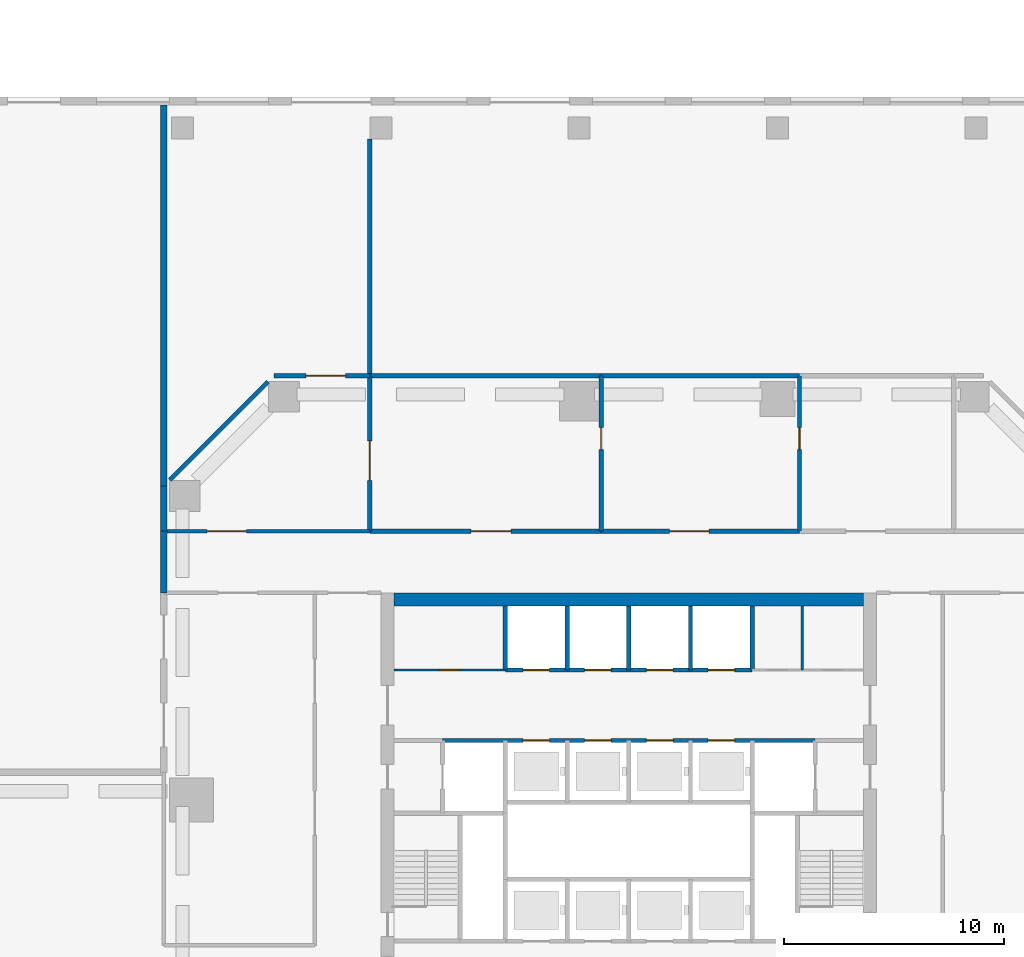
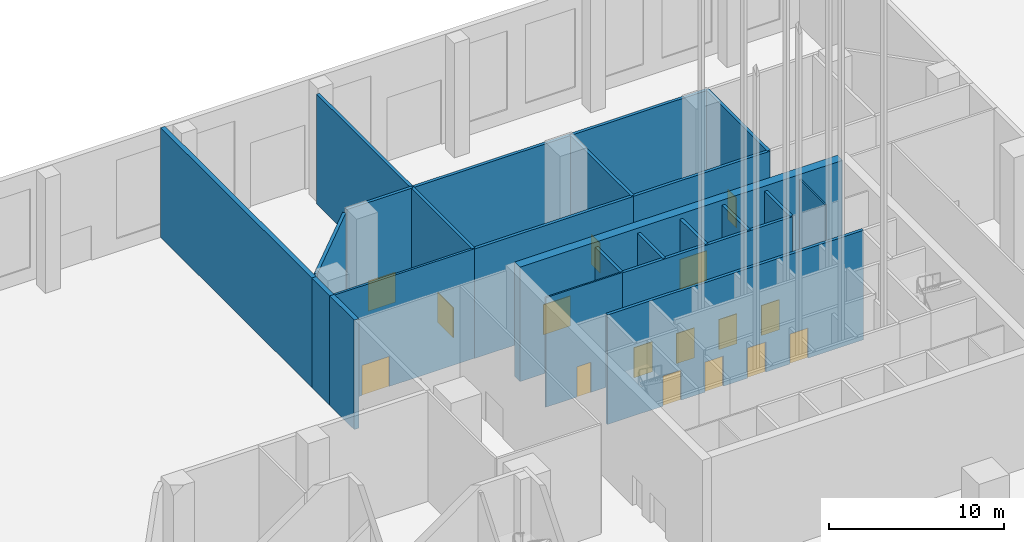
# One storey, part 15 of 32: 24 walls, 16 doors, 16 openings.
"""IFC4 building model written with IfcOpenShell, lengths in metres."""

import ifcopenshell
import ifcopenshell.guid

model = None  # the IFC model being written
_history = None  # IfcOwnerHistory: only IFC2X3 demands one
_inside = {}  # id of a spatial element -> (the spatial element, [elements in it])
_under = {}  # id of a project, library or spatial element -> (it, [spatial elements below it])
_declared = {}  # id of a project -> (the project, [libraries it declares])
_typed = {}  # id of a type object -> (the type object, [elements of that type])
_made_of = {}  # id of a material, layer set ... -> (it, [elements and type objects made of it])


def new_model(schema):
    """Start an empty IFC model of exactly this schema.

    Asked for "IFC4X3", IfcOpenShell would pick the latest addendum, in which some entities
    have other attributes; the version numbers below select the first issue.
    IFC2X3 requires an IfcOwnerHistory on every rooted entity: one is made here for all.
    """
    global model, _history
    if schema == "IFC4X3":
        model = ifcopenshell.file(schema_version=(4, 3, 0, 0))
    else:
        model = ifcopenshell.file(schema=schema)
    _inside.clear()
    _under.clear()
    _declared.clear()
    _typed.clear()
    _made_of.clear()
    _history = None
    if model.schema == "IFC2X3":
        org = make("IfcOrganization", Name="unknown")
        user = make(
            "IfcPersonAndOrganization",
            ThePerson=make("IfcPerson", FamilyName="unknown"),
            TheOrganization=org,
        )
        app = make(
            "IfcApplication",
            ApplicationDeveloper=org,
            Version="unknown",
            ApplicationFullName="unknown",
            ApplicationIdentifier="unknown",
        )
        _history = make(
            "IfcOwnerHistory",
            OwningUser=user,
            OwningApplication=app,
            ChangeAction="ADDED",
            CreationDate=0,
        )
    return model


def make(cls, **values):
    """One entity of the class cls with the attributes given. An attribute that is None is left unset."""
    return model.create_entity(
        cls, **{name: value for name, value in values.items() if value is not None}
    )


def rooted(cls, **values):
    """An entity with a GlobalId (a new one), such as an element, a storey or a relation."""
    return make(cls, GlobalId=ifcopenshell.guid.new(), OwnerHistory=_history, **values)


def si_unit(unit_type, name, prefix=None):
    """IfcSIUnit, for example si_unit("LENGTHUNIT", "METRE", prefix="MILLI")."""
    return make("IfcSIUnit", UnitType=unit_type, Prefix=prefix, Name=name)


def assignment(units):
    """IfcUnitAssignment: the units of a project."""
    return None if units is None else make("IfcUnitAssignment", Units=units)


def point(xyz):
    """IfcCartesianPoint."""
    return None if xyz is None else make("IfcCartesianPoint", Coordinates=xyz)


def direction(xyz):
    """IfcDirection."""
    return None if xyz is None else make("IfcDirection", DirectionRatios=xyz)


def frame(location, z_axis=None, x_axis=None):
    """IfcAxis2Placement3D, a coordinate frame: its origin and axes. An axis left out is left unset."""
    return make(
        "IfcAxis2Placement3D",
        Location=point(location),
        Axis=direction(z_axis),
        RefDirection=direction(x_axis),
    )


def frame_2d(location, x_axis=None):
    """IfcAxis2Placement2D, a coordinate frame in the plane: its origin and x axis."""
    return make(
        "IfcAxis2Placement2D", Location=point(location), RefDirection=direction(x_axis)
    )


def origin():
    """The frame at (0, 0, 0) with its axes left unset."""
    return frame((0.0, 0.0, 0.0))


def place(relative_to, where):
    """IfcLocalPlacement: puts the frame where relative to a parent placement (None: the world)."""
    return make(
        "IfcLocalPlacement", PlacementRelTo=relative_to, RelativePlacement=where
    )


def context(
    kind, dimensions, precision=None, world=None, true_north=None, identifier=None
):
    """IfcGeometricRepresentationContext, for example the 3D "Model" context."""
    return make(
        "IfcGeometricRepresentationContext",
        ContextIdentifier=identifier,
        ContextType=kind,
        CoordinateSpaceDimension=dimensions,
        Precision=precision,
        WorldCoordinateSystem=world,
        TrueNorth=true_north,
    )


def subcontext(parent, identifier, kind, view, scale=None):
    """IfcGeometricRepresentationSubContext, for example "Body" below "Model"."""
    return make(
        "IfcGeometricRepresentationSubContext",
        ContextIdentifier=identifier,
        ContextType=kind,
        ParentContext=parent,
        TargetScale=scale,
        TargetView=view,
    )


def project(units=None, contexts=None):
    """IfcProject with its units and contexts."""
    return rooted(
        "IfcProject",
        Name="project",
        RepresentationContexts=contexts,
        UnitsInContext=assignment(units),
    )


def spatial(cls, under=None, at=None, **own):
    """A site, building, storey or space (cls), placed at a placement, below another one or the project."""
    s = rooted(cls, ObjectPlacement=at, **own)
    if under is not None:
        _under.setdefault(under.id(), (under, []))[1].append(s)
    return s


def profile(cls, at=None, kind="AREA", **sizes):
    """A parametric profile (cls). Its sizes go by their IFC names, for example OverallWidth=200.0."""
    return make(cls, ProfileType=kind, Position=at, **sizes)


def rectangle(**sizes):
    """IfcRectangleProfileDef."""
    return profile("IfcRectangleProfileDef", **sizes)


def extrude(swept, where, along, depth):
    """IfcExtrudedAreaSolid: the profile swept, set in the frame where, extruded along a direction by depth."""
    return make(
        "IfcExtrudedAreaSolid",
        SweptArea=swept,
        Position=where,
        ExtrudedDirection=direction(along),
        Depth=depth,
    )


def shape(context_of_items, identifier, shape_type, items):
    """IfcShapeRepresentation: the items that make up one representation, for example the "Body"."""
    return make(
        "IfcShapeRepresentation",
        ContextOfItems=context_of_items,
        RepresentationIdentifier=identifier,
        RepresentationType=shape_type,
        Items=items,
    )


def material(Name=None, Category=None):
    """IfcMaterial."""
    return make("IfcMaterial", Name=Name, Category=Category)


def layer(
    of_material, thickness, ventilated=None, Name=None, Category=None, Priority=None
):
    """IfcMaterialLayer: one layer of a wall or slab, of a material (None: an air gap)."""
    return make(
        "IfcMaterialLayer",
        Material=of_material,
        LayerThickness=thickness,
        IsVentilated=ventilated,
        Name=Name,
        Category=Category,
        Priority=Priority,
    )


def layer_set(layers, Name=None):
    """IfcMaterialLayerSet."""
    return make("IfcMaterialLayerSet", MaterialLayers=layers, LayerSetName=Name)


def made_of(thing, what):
    """Note that an element or type object is made of a material, layer set ...; save() writes the relation."""
    if what is not None:
        _made_of.setdefault(what.id(), (what, []))[1].append(thing)
    return thing


def type_object(cls, material=None, **own):
    """A type object (cls), such as IfcWallType, which elements share."""
    return made_of(rooted(cls, **own), material)


def element(
    cls,
    number,
    at=None,
    inside=None,
    cuts=None,
    type_object=None,
    material=None,
    context=None,
    identifier="Body",
    shape_type=None,
    held_by="IfcProductDefinitionShape",
    body=None,
    shapes=None,
    **own,
):
    """One element of the class cls, such as IfcWall. Its Tag is "e" and its number.

    at: its placement. inside: the storey or other place that contains it. cuts: it is an
    opening in that element (IfcRelVoidsElement). A single representation is given by context,
    identifier, shape_type and body (its items); several are given by shapes. held_by: the class
    of the entity that holds the representations. save() writes the other relations.
    """
    e = rooted(cls, Tag="e%d" % number, ObjectPlacement=at, **own)
    if body is not None:
        shapes = [shape(context, identifier, shape_type, body)]
    if shapes is not None:
        e.Representation = make(held_by, Representations=shapes)
    if inside is not None:
        _inside.setdefault(inside.id(), (inside, []))[1].append(e)
    if cuts is not None:
        rooted(
            "IfcRelVoidsElement", RelatingBuildingElement=cuts, RelatedOpeningElement=e
        )
    if type_object is not None:
        _typed.setdefault(type_object.id(), (type_object, []))[1].append(e)
    return made_of(e, material)


def fill(opening, filler):
    """IfcRelFillsElement: the door or window that sits in an opening."""
    return rooted(
        "IfcRelFillsElement",
        RelatingOpeningElement=opening,
        RelatedBuildingElement=filler,
    )


def aggregate(whole, parts):
    """IfcRelAggregates: a whole, such as a stair, and the parts it consists of."""
    return rooted("IfcRelAggregates", RelatingObject=whole, RelatedObjects=parts)


def save(model, path):
    """Write the relations noted so far, then the file.

    IfcRelAggregates (storeys below a building ...), IfcRelContainedInSpatialStructure (elements
    in a storey), IfcRelDefinesByType, IfcRelAssociatesMaterial and IfcRelDeclares: one each for
    every whole, place, type object, material and project.
    """
    for whole, parts in _under.values():
        aggregate(whole, parts)
    for where, things in _inside.values():
        rooted(
            "IfcRelContainedInSpatialStructure",
            RelatedElements=things,
            RelatingStructure=where,
        )
    for kind, things in _typed.values():
        rooted("IfcRelDefinesByType", RelatedObjects=things, RelatingType=kind)
    for what, things in _made_of.values():
        rooted("IfcRelAssociatesMaterial", RelatedObjects=things, RelatingMaterial=what)
    for by, libraries in _declared.values():
        rooted("IfcRelDeclares", RelatingContext=by, RelatedDefinitions=libraries)
    model.write(path)


model = new_model("IFC4")

# Units and contexts
model_context = context("Model", 3, precision=1e-05, world=origin(), true_north=direction((0.0, 1.0)))
body_context = subcontext(model_context, "Body", "Model", "MODEL_VIEW")
ifc_project = project(units=[si_unit("LENGTHUNIT", "METRE"), si_unit("AREAUNIT", "SQUARE_METRE"), si_unit("VOLUMEUNIT", "CUBIC_METRE"), si_unit("PLANEANGLEUNIT", "RADIAN"), si_unit("MASSUNIT", "GRAM", prefix="KILO")], contexts=[model_context])

# Site, building, storey
site_placement = place(None, origin())
site = spatial("IfcSite", under=ifc_project, at=site_placement, CompositionType="ELEMENT")
building_placement = place(site_placement, origin())
building = spatial("IfcBuilding", under=site, at=building_placement, Name="Quoin Convention Tower", CompositionType="ELEMENT")
storey_placement = place(building_placement, origin())
storey = spatial("IfcBuildingStorey", under=building, at=storey_placement, Name="L00", CompositionType="ELEMENT", Elevation=0.0)

# Walls
ifc_material_1 = material(Name="Plasterboard")
ifc_layer_1 = layer(ifc_material_1, 0.012451171875, Name="Finish")
ifc_material_2 = material(Name="Steel stud framing", Category="steel")
ifc_layer_2 = layer(ifc_material_2, 0.27490234375, Name="Structure")
ifc_layer_3 = layer(ifc_material_1, 0.012451171875, Name="Finish")
ifc_layer_set_1 = layer_set([ifc_layer_1, ifc_layer_2, ifc_layer_3], Name="Steel stud framing")
wall_type_1 = type_object("IfcWallType", Name="Acoustic wall 300", PredefinedType="PARTITIONING", material=ifc_layer_set_1)
wall_1_placement = place(storey_placement, frame((35.14990234375, 72.0, 0.0), z_axis=(0.0, 0.0, 1.0), x_axis=(0.0, 1.0, 0.0)))
element("IfcWall", 1, at=wall_1_placement, inside=storey, type_object=wall_type_1, Name="pw-L00-077", PredefinedType="PARTITIONING", context=body_context, shape_type="SweptSolid", body=[
    extrude(rectangle(XDim=2.800048828125, YDim=0.300048828125, at=frame_2d((1.39990234375, 0.0))), origin(), (0.0, 0.0, 1.0), 7.64990234375),
])
wall_2_placement = place(storey_placement, frame((35.14990234375, 74.800048828125, 0.0), z_axis=(0.0, 0.0, 1.0), x_axis=(0.0, 1.0, 0.0)))
element("IfcWall", 2, at=wall_2_placement, inside=storey, type_object=wall_type_1, Name="pw-L00-083", PredefinedType="PARTITIONING", context=body_context, shape_type="SweptSolid", body=[
    extrude(rectangle(XDim=2.052001953125, YDim=0.300048828125, at=frame_2d((1.02587890625, 0.0))), origin(), (0.0, 0.0, 1.0), 7.64990234375),
])
wall_3_placement = place(storey_placement, frame((35.14990234375, 76.85205078125, 0.0), z_axis=(0.0, 0.0, 1.0), x_axis=(0.0, 1.0, 0.0)))
element("IfcWall", 3, at=wall_3_placement, inside=storey, type_object=wall_type_1, Name="pw-L00-094", PredefinedType="PARTITIONING", context=body_context, shape_type="SweptSolid", body=[
    extrude(rectangle(XDim=17.2978515625, YDim=0.300048828125, at=frame_2d((8.64892578125, 0.0))), origin(), (0.0, 0.0, 1.0), 7.64990234375),
])

# Wall, opening, door
ifc_layer_4 = layer(ifc_material_1, 0.012451171875, Name="Finish")
ifc_layer_5 = layer(ifc_material_2, 0.175048828125, Name="Structure")
ifc_layer_6 = layer(ifc_material_1, 0.012451171875, Name="Finish")
ifc_layer_set_2 = layer_set([ifc_layer_4, ifc_layer_5, ifc_layer_6], Name="Steel stud framing")
wall_type_2 = type_object("IfcWallType", Name="Block wall 200", PredefinedType="PARTITIONING", material=ifc_layer_set_2)
wall_4_placement = place(storey_placement, frame((44.5, 74.800048828125, 0.0), z_axis=(0.0, 0.0, 1.0), x_axis=(1.0, 0.0, 0.0)))
wall_4 = element("IfcWall", 4, at=wall_4_placement, inside=storey, type_object=wall_type_2, Name="pw-L00-084", PredefinedType="PARTITIONING", context=body_context, shape_type="SweptSolid", body=[
    extrude(rectangle(XDim=10.5, YDim=0.199951171875, at=frame_2d((5.25, 0.0))), origin(), (0.0, 0.0, 1.0), 7.64990234375),
])
opening_1_placement = place(wall_4_placement, frame((4.60009765625, 0.0, 0.0)))
opening_1 = element("IfcOpeningElement", 5, at=opening_1_placement, cuts=wall_4, Name="Opening DPD0-36", PredefinedType="OPENING", context=body_context, shape_type="SweptSolid", body=[
    extrude(rectangle(XDim=1.800048828125, YDim=2.10009765625, at=frame_2d((0.89990234375, 1.050048828125))), frame((0.0, 0.10986328125, 0.0), z_axis=(0.0, -1.0, 0.0), x_axis=(1.0, 0.0, 0.0)), (0.0, 0.0, 1.0), 0.219970703125),
])
ifc_material_3 = material(Name="Steel door leaf", Category="steel")
door_type_1 = type_object("IfcDoorType", Name="Fire door pair 1800", OperationType="DOUBLE_DOOR_SINGLE_SWING", PredefinedType="DOOR", material=ifc_material_3)
door_1_placement = place(opening_1_placement, origin())
door_1 = element("IfcDoor", 6, at=door_1_placement, inside=storey, type_object=door_type_1, Name="dr-L00-016", OperationType="DOUBLE_DOOR_SINGLE_SWING", OverallHeight=2.10009765625, OverallWidth=1.800048828125, PredefinedType="DOOR", context=body_context, shape_type="SweptSolid", body=[
    extrude(rectangle(XDim=1.800048828125, YDim=2.10009765625, at=frame_2d((0.89990234375, 1.050048828125))), frame((0.0, 0.02490234375, 0.0), z_axis=(0.0, -1.0, 0.0), x_axis=(1.0, 0.0, 0.0)), (0.0, 0.0, 1.0), 0.050048828125),
])
fill(opening_1, door_1)

wall_5_placement = place(storey_placement, frame((44.5, 74.800048828125, 0.0), z_axis=(0.0, 0.0, 1.0), x_axis=(0.0, 1.0, 0.0)))
wall_5 = element("IfcWall", 7, at=wall_5_placement, inside=storey, type_object=wall_type_2, Name="pw-L00-085", PredefinedType="PARTITIONING", context=body_context, shape_type="SweptSolid", body=[
    extrude(rectangle(XDim=7.050048828125, YDim=0.199951171875, at=frame_2d((3.52490234375, 0.0))), origin(), (0.0, 0.0, 1.0), 7.64990234375),
])
opening_2_placement = place(wall_5_placement, frame((2.300048828125, 0.0, 0.0)))
opening_2 = element("IfcOpeningElement", 8, at=opening_2_placement, cuts=wall_5, Name="Opening DPD0-37", PredefinedType="OPENING", context=body_context, shape_type="SweptSolid", body=[
    extrude(rectangle(XDim=1.800048828125, YDim=2.10009765625, at=frame_2d((0.89990234375, 1.050048828125))), frame((0.0, 0.10986328125, 0.0), z_axis=(0.0, -1.0, 0.0), x_axis=(1.0, 0.0, 0.0)), (0.0, 0.0, 1.0), 0.219970703125),
])
door_type_2 = type_object("IfcDoorType", Name="Double leaf door 1800", OperationType="DOUBLE_DOOR_SINGLE_SWING", PredefinedType="DOOR", material=ifc_material_3)
door_2_placement = place(opening_2_placement, frame((1.800048828125, 0.0, 0.0), z_axis=(0.0, 0.0, 1.0), x_axis=(-1.0, 0.0, 0.0)))
door_2 = element("IfcDoor", 9, at=door_2_placement, inside=storey, type_object=door_type_2, Name="dr-L00-020", OperationType="DOUBLE_DOOR_SINGLE_SWING", OverallHeight=2.10009765625, OverallWidth=1.800048828125, PredefinedType="DOOR", context=body_context, shape_type="SweptSolid", body=[
    extrude(rectangle(XDim=1.800048828125, YDim=2.10009765625, at=frame_2d((0.89990234375, 1.050048828125))), frame((0.0, 0.02490234375, 0.0), z_axis=(0.0, -1.0, 0.0), x_axis=(1.0, 0.0, 0.0)), (0.0, 0.0, 1.0), 0.050048828125),
])
fill(opening_2, door_2)

wall_6_placement = place(storey_placement, frame((55.0, 74.800048828125, 0.0), z_axis=(0.0, 0.0, 1.0), x_axis=(1.0, 0.0, 0.0)))
wall_6 = element("IfcWall", 10, at=wall_6_placement, inside=storey, type_object=wall_type_2, Name="pw-L00-086", PredefinedType="PARTITIONING", context=body_context, shape_type="SweptSolid", body=[
    extrude(rectangle(XDim=9.0, YDim=0.199951171875, at=frame_2d((4.5, 0.0))), origin(), (0.0, 0.0, 1.0), 7.64990234375),
])
opening_3_placement = place(wall_6_placement, frame((3.10009765625, 0.0, 0.0)))
opening_3 = element("IfcOpeningElement", 11, at=opening_3_placement, cuts=wall_6, Name="Opening DPD0-38", PredefinedType="OPENING", context=body_context, shape_type="SweptSolid", body=[
    extrude(rectangle(XDim=1.800048828125, YDim=2.10009765625, at=frame_2d((0.89990234375, 1.050048828125))), frame((0.0, 0.10986328125, 0.0), z_axis=(0.0, -1.0, 0.0), x_axis=(1.0, 0.0, 0.0)), (0.0, 0.0, 1.0), 0.219970703125),
])
door_3_placement = place(opening_3_placement, origin())
door_3 = element("IfcDoor", 12, at=door_3_placement, inside=storey, type_object=door_type_1, Name="dr-L00-017", OperationType="DOUBLE_DOOR_SINGLE_SWING", OverallHeight=2.10009765625, OverallWidth=1.800048828125, PredefinedType="DOOR", context=body_context, shape_type="SweptSolid", body=[
    extrude(rectangle(XDim=1.800048828125, YDim=2.10009765625, at=frame_2d((0.89990234375, 1.050048828125))), frame((0.0, 0.02490234375, 0.0), z_axis=(0.0, -1.0, 0.0), x_axis=(1.0, 0.0, 0.0)), (0.0, 0.0, 1.0), 0.050048828125),
])
fill(opening_3, door_3)

wall_7_placement = place(storey_placement, frame((55.0, 74.800048828125, 0.0), z_axis=(0.0, 0.0, 1.0), x_axis=(0.0, 1.0, 0.0)))
wall_7 = element("IfcWall", 13, at=wall_7_placement, inside=storey, type_object=wall_type_2, Name="pw-L00-087", PredefinedType="PARTITIONING", context=body_context, shape_type="SweptSolid", body=[
    extrude(rectangle(XDim=7.050048828125, YDim=0.199951171875, at=frame_2d((3.52490234375, 0.0))), origin(), (0.0, 0.0, 1.0), 7.64990234375),
])
opening_4_placement = place(wall_7_placement, frame((3.699951171875, 0.0, 0.0)))
opening_4 = element("IfcOpeningElement", 14, at=opening_4_placement, cuts=wall_7, Name="Opening DPD0-39", PredefinedType="OPENING", context=body_context, shape_type="SweptSolid", body=[
    extrude(rectangle(XDim=1.0, YDim=2.10009765625, at=frame_2d((0.5, 1.050048828125))), frame((0.0, 0.10986328125, 0.0), z_axis=(0.0, -1.0, 0.0), x_axis=(1.0, 0.0, 0.0)), (0.0, 0.0, 1.0), 0.219970703125),
])
door_type_3 = type_object("IfcDoorType", Name="Single leaf door 1000", OperationType="SINGLE_SWING_LEFT", PredefinedType="DOOR", material=ifc_material_3)
door_4_placement = place(opening_4_placement, origin())
door_4 = element("IfcDoor", 15, at=door_4_placement, inside=storey, type_object=door_type_3, Name="dr-L00-021", OperationType="SINGLE_SWING_RIGHT", OverallHeight=2.10009765625, OverallWidth=1.0, PredefinedType="DOOR", context=body_context, shape_type="SweptSolid", body=[
    extrude(rectangle(XDim=1.0, YDim=2.10009765625, at=frame_2d((0.5, 1.050048828125))), frame((0.0, 0.02490234375, 0.0), z_axis=(0.0, -1.0, 0.0), x_axis=(1.0, 0.0, 0.0)), (0.0, 0.0, 1.0), 0.050048828125),
])
fill(opening_4, door_4)

wall_8_placement = place(storey_placement, frame((64.0, 74.800048828125, 0.0), z_axis=(0.0, 0.0, 1.0), x_axis=(0.0, 1.0, 0.0)))
wall_8 = element("IfcWall", 16, at=wall_8_placement, inside=storey, type_object=wall_type_2, Name="pw-L00-089", PredefinedType="PARTITIONING", context=body_context, shape_type="SweptSolid", body=[
    extrude(rectangle(XDim=7.050048828125, YDim=0.199951171875, at=frame_2d((3.52490234375, 0.0))), origin(), (0.0, 0.0, 1.0), 7.64990234375),
])
opening_5_placement = place(wall_8_placement, frame((3.699951171875, 0.0, 0.0)))
opening_5 = element("IfcOpeningElement", 17, at=opening_5_placement, cuts=wall_8, Name="Opening DPD0-41", PredefinedType="OPENING", context=body_context, shape_type="SweptSolid", body=[
    extrude(rectangle(XDim=1.0, YDim=2.10009765625, at=frame_2d((0.5, 1.050048828125))), frame((0.0, 0.10986328125, 0.0), z_axis=(0.0, -1.0, 0.0), x_axis=(1.0, 0.0, 0.0)), (0.0, 0.0, 1.0), 0.219970703125),
])
door_5_placement = place(opening_5_placement, origin())
door_5 = element("IfcDoor", 18, at=door_5_placement, inside=storey, type_object=door_type_3, Name="dr-L00-022", OperationType="SINGLE_SWING_RIGHT", OverallHeight=2.10009765625, OverallWidth=1.0, PredefinedType="DOOR", context=body_context, shape_type="SweptSolid", body=[
    extrude(rectangle(XDim=1.0, YDim=2.10009765625, at=frame_2d((0.5, 1.050048828125))), frame((0.0, 0.02490234375, 0.0), z_axis=(0.0, -1.0, 0.0), x_axis=(1.0, 0.0, 0.0)), (0.0, 0.0, 1.0), 0.050048828125),
])
fill(opening_5, door_5)

# Wall
wall_9_placement = place(storey_placement, frame((35.41796875, 77.1201171875, 0.0), z_axis=(0.0, 0.0, 1.0), x_axis=(0.707106781187, 0.707106781187, 0.0)))
element("IfcWall", 19, at=wall_9_placement, inside=storey, type_object=wall_type_2, Name="pw-L00-093", PredefinedType="PARTITIONING", context=body_context, shape_type="SweptSolid", body=[
    extrude(rectangle(XDim=6.31005859375, YDim=0.199951171875, at=frame_2d((3.155029296875, 0.0))), origin(), (0.0, 0.0, 1.0), 7.64990234375),
])

# Wall, opening, door
wall_10_placement = place(storey_placement, frame((40.14794921875, 81.85009765625, 0.0), z_axis=(0.0, 0.0, 1.0), x_axis=(1.0, 0.0, 0.0)))
wall_10 = element("IfcWall", 20, at=wall_10_placement, inside=storey, type_object=wall_type_2, Name="pw-L00-096", PredefinedType="PARTITIONING", context=body_context, shape_type="SweptSolid", body=[
    extrude(rectangle(XDim=4.35205078125, YDim=0.199951171875, at=frame_2d((2.176025390625, 0.0))), origin(), (0.0, 0.0, 1.0), 7.64990234375),
])
opening_6_placement = place(wall_10_placement, frame((1.449951171875, 0.0, 0.0)))
opening_6 = element("IfcOpeningElement", 21, at=opening_6_placement, cuts=wall_10, Name="Opening DPD0-43", PredefinedType="OPENING", context=body_context, shape_type="SweptSolid", body=[
    extrude(rectangle(XDim=1.800048828125, YDim=2.10009765625, at=frame_2d((0.89990234375, 1.050048828125))), frame((0.0, 0.10986328125, 0.0), z_axis=(0.0, -1.0, 0.0), x_axis=(1.0, 0.0, 0.0)), (0.0, 0.0, 1.0), 0.219970703125),
])
door_6_placement = place(opening_6_placement, origin())
door_6 = element("IfcDoor", 22, at=door_6_placement, inside=storey, type_object=door_type_2, Name="dr-L00-015", OperationType="DOUBLE_DOOR_SINGLE_SWING", OverallHeight=2.10009765625, OverallWidth=1.800048828125, PredefinedType="DOOR", context=body_context, shape_type="SweptSolid", body=[
    extrude(rectangle(XDim=1.800048828125, YDim=2.10009765625, at=frame_2d((0.89990234375, 1.050048828125))), frame((0.0, 0.02490234375, 0.0), z_axis=(0.0, -1.0, 0.0), x_axis=(1.0, 0.0, 0.0)), (0.0, 0.0, 1.0), 0.050048828125),
])
fill(opening_6, door_6)

# Walls
wall_11_placement = place(storey_placement, frame((44.5, 81.85009765625, 0.0), z_axis=(0.0, 0.0, 1.0), x_axis=(1.0, 0.0, 0.0)))
element("IfcWall", 23, at=wall_11_placement, inside=storey, type_object=wall_type_2, Name="pw-L00-097", PredefinedType="PARTITIONING", context=body_context, shape_type="SweptSolid", body=[
    extrude(rectangle(XDim=10.5, YDim=0.199951171875, at=frame_2d((5.25, 0.0))), origin(), (0.0, 0.0, 1.0), 7.64990234375),
])
wall_12_placement = place(storey_placement, frame((44.5, 81.85009765625, 0.0), z_axis=(0.0, 0.0, 1.0), x_axis=(0.0, 1.0, 0.0)))
element("IfcWall", 24, at=wall_12_placement, inside=storey, type_object=wall_type_2, Name="pw-L00-098", PredefinedType="PARTITIONING", context=body_context, shape_type="SweptSolid", body=[
    extrude(rectangle(XDim=10.75, YDim=0.199951171875, at=frame_2d((5.375, 0.0))), origin(), (0.0, 0.0, 1.0), 7.64990234375),
])
wall_13_placement = place(storey_placement, frame((55.0, 81.85009765625, 0.0), z_axis=(0.0, 0.0, 1.0), x_axis=(1.0, 0.0, 0.0)))
element("IfcWall", 25, at=wall_13_placement, inside=storey, type_object=wall_type_2, Name="pw-L00-099", PredefinedType="PARTITIONING", context=body_context, shape_type="SweptSolid", body=[
    extrude(rectangle(XDim=9.0, YDim=0.199951171875, at=frame_2d((4.5, 0.0))), origin(), (0.0, 0.0, 1.0), 7.64990234375),
])

# Wall, opening, door
ifc_layer_7 = layer(ifc_material_1, 0.012451171875, Name="Finish")
ifc_layer_8 = layer(ifc_material_2, 0.074951171875, Name="Structure")
ifc_layer_9 = layer(ifc_material_1, 0.012451171875, Name="Finish")
ifc_layer_set_3 = layer_set([ifc_layer_7, ifc_layer_8, ifc_layer_9], Name="Steel stud framing")
wall_type_3 = type_object("IfcWallType", Name="Core partition wall", PredefinedType="PARTITIONING", material=ifc_layer_set_3)
wall_14_placement = place(storey_placement, frame((45.60009765625, 68.5, 0.0), z_axis=(0.0, 0.0, 1.0), x_axis=(1.0, 0.0, 0.0)))
wall_14 = element("IfcWall", 26, at=wall_14_placement, inside=storey, type_object=wall_type_3, Name="cr-C1-L00-h19000_600", PredefinedType="PARTITIONING", context=body_context, shape_type="SweptSolid", body=[
    extrude(rectangle(XDim=5.0498046875, YDim=0.10009765625, at=frame_2d((2.52490234375, 0.0))), origin(), (0.0, 0.0, 1.0), 7.64990234375),
])
opening_7_placement = place(wall_14_placement, frame((2.074951171875, 0.0, 0.0)))
opening_7 = element("IfcOpeningElement", 27, at=opening_7_placement, cuts=wall_14, Name="Opening DCV0-25", PredefinedType="OPENING", context=body_context, shape_type="SweptSolid", body=[
    extrude(rectangle(XDim=0.89990234375, YDim=2.10009765625, at=frame_2d((0.449951171875, 1.050048828125))), frame((0.0, 0.06005859375, 0.0), z_axis=(0.0, -1.0, 0.0), x_axis=(1.0, 0.0, 0.0)), (0.0, 0.0, 1.0), 0.1201171875),
])
door_type_4 = type_object("IfcDoorType", Name="Core room door 900 x 2100", OperationType="SINGLE_SWING_LEFT", PredefinedType="DOOR", material=ifc_material_3)
door_7_placement = place(opening_7_placement, origin())
door_7 = element("IfcDoor", 28, at=door_7_placement, inside=storey, type_object=door_type_4, Name="cd-C1-L00-CNW0-lobB-CD0009", OperationType="SINGLE_SWING_RIGHT", OverallHeight=2.10009765625, OverallWidth=0.89990234375, PredefinedType="DOOR", context=body_context, shape_type="SweptSolid", body=[
    extrude(rectangle(XDim=0.89990234375, YDim=2.10009765625, at=frame_2d((0.449951171875, 1.050048828125))), frame((0.0, 0.02490234375, 0.0), z_axis=(0.0, -1.0, 0.0), x_axis=(1.0, 0.0, 0.0)), (0.0, 0.0, 1.0), 0.050048828125),
])
fill(opening_7, door_7)

# Wall
wall_15_placement = place(storey_placement, frame((64.12255859375, 68.5, 0.0), z_axis=(0.0, 0.0, 1.0), x_axis=(0.0, 1.0, 0.0)))
element("IfcWall", 29, at=wall_15_placement, inside=storey, type_object=wall_type_3, Name="cr-C1-L00-v19122_19000", PredefinedType="PARTITIONING", context=body_context, shape_type="SweptSolid", body=[
    extrude(rectangle(XDim=2.89990234375, YDim=0.10009765625, at=frame_2d((1.449951171875, 0.0))), origin(), (0.0, 0.0, 1.0), 7.64990234375),
])

# Wall, openings, doors
ifc_material_4 = material(Name="Concrete C50", Category="concrete")
ifc_layer_10 = layer(ifc_material_4, 0.199951171875)
ifc_layer_set_4 = layer_set([ifc_layer_10], Name="Concrete C50")
wall_type_4 = type_object("IfcWallType", Name="Core shaft wall", PredefinedType="SOLIDWALL", material=ifc_layer_set_4)
wall_16_placement = place(storey_placement, frame((47.800048828125, 65.300048828125, 0.0), z_axis=(0.0, 0.0, 1.0), x_axis=(1.0, 0.0, 0.0)))
wall_16 = element("IfcWall", 30, at=wall_16_placement, inside=storey, type_object=wall_type_4, Name="cr-C1-L00-h15800_2800", PredefinedType="SOLIDWALL", context=body_context, shape_type="SweptSolid", body=[
    extrude(rectangle(XDim=16.89990234375, YDim=0.199951171875, at=frame_2d((8.449951171875, 0.0))), origin(), (0.0, 0.0, 1.0), 7.64990234375),
])
opening_8_placement = place(wall_16_placement, frame((3.64990234375, 0.0, 0.0)))
opening_8 = element("IfcOpeningElement", 31, at=opening_8_placement, cuts=wall_16, Name="Opening LDH5", PredefinedType="OPENING", context=body_context, shape_type="SweptSolid", body=[
    extrude(rectangle(XDim=1.199951171875, YDim=2.10009765625, at=frame_2d((0.60009765625, 1.050048828125))), frame((0.0, 0.10986328125, 0.0), z_axis=(0.0, -1.0, 0.0), x_axis=(1.0, 0.0, 0.0)), (0.0, 0.0, 1.0), 0.219970703125),
])
opening_9_placement = place(wall_16_placement, frame((6.449951171875, 0.0, 0.0)))
opening_9 = element("IfcOpeningElement", 32, at=opening_9_placement, cuts=wall_16, Name="Opening LDH6", PredefinedType="OPENING", context=body_context, shape_type="SweptSolid", body=[
    extrude(rectangle(XDim=1.199951171875, YDim=2.10009765625, at=frame_2d((0.60009765625, 1.050048828125))), frame((0.0, 0.10986328125, 0.0), z_axis=(0.0, -1.0, 0.0), x_axis=(1.0, 0.0, 0.0)), (0.0, 0.0, 1.0), 0.219970703125),
])
opening_10_placement = place(wall_16_placement, frame((9.25, 0.0, 0.0)))
opening_10 = element("IfcOpeningElement", 33, at=opening_10_placement, cuts=wall_16, Name="Opening LDH7", PredefinedType="OPENING", context=body_context, shape_type="SweptSolid", body=[
    extrude(rectangle(XDim=1.199951171875, YDim=2.10009765625, at=frame_2d((0.60009765625, 1.050048828125))), frame((0.0, 0.10986328125, 0.0), z_axis=(0.0, -1.0, 0.0), x_axis=(1.0, 0.0, 0.0)), (0.0, 0.0, 1.0), 0.219970703125),
])
opening_11_placement = place(wall_16_placement, frame((12.050048828125, 0.0, 0.0)))
opening_11 = element("IfcOpeningElement", 34, at=opening_11_placement, cuts=wall_16, Name="Opening LDH8", PredefinedType="OPENING", context=body_context, shape_type="SweptSolid", body=[
    extrude(rectangle(XDim=1.199951171875, YDim=2.10009765625, at=frame_2d((0.60009765625, 1.050048828125))), frame((0.0, 0.10986328125, 0.0), z_axis=(0.0, -1.0, 0.0), x_axis=(1.0, 0.0, 0.0)), (0.0, 0.0, 1.0), 0.219970703125),
])
door_type_5 = type_object("IfcDoorType", Name="Lift landing door 1200 x 2100", OperationType="DOUBLE_DOOR_SLIDING", PredefinedType="DOOR", material=ifc_material_3)
door_8_placement = place(opening_8_placement, origin())
door_8 = element("IfcDoor", 35, at=door_8_placement, inside=storey, type_object=door_type_5, Name="cd-C1-L00-R30-lobB-LDH5", OperationType="DOUBLE_DOOR_SLIDING", OverallHeight=2.10009765625, OverallWidth=1.199951171875, PredefinedType="DOOR", context=body_context, shape_type="SweptSolid", body=[
    extrude(rectangle(XDim=1.199951171875, YDim=2.10009765625, at=frame_2d((0.60009765625, 1.050048828125))), frame((0.0, 0.02490234375, 0.0), z_axis=(0.0, -1.0, 0.0), x_axis=(1.0, 0.0, 0.0)), (0.0, 0.0, 1.0), 0.050048828125),
])
fill(opening_8, door_8)
door_9_placement = place(opening_9_placement, origin())
door_9 = element("IfcDoor", 36, at=door_9_placement, inside=storey, type_object=door_type_5, Name="cd-C1-L00-R31-lobB-LDH6", OperationType="DOUBLE_DOOR_SLIDING", OverallHeight=2.10009765625, OverallWidth=1.199951171875, PredefinedType="DOOR", context=body_context, shape_type="SweptSolid", body=[
    extrude(rectangle(XDim=1.199951171875, YDim=2.10009765625, at=frame_2d((0.60009765625, 1.050048828125))), frame((0.0, 0.02490234375, 0.0), z_axis=(0.0, -1.0, 0.0), x_axis=(1.0, 0.0, 0.0)), (0.0, 0.0, 1.0), 0.050048828125),
])
fill(opening_9, door_9)
door_10_placement = place(opening_10_placement, origin())
door_10 = element("IfcDoor", 37, at=door_10_placement, inside=storey, type_object=door_type_5, Name="cd-C1-L00-R32-lobB-LDH7", OperationType="DOUBLE_DOOR_SLIDING", OverallHeight=2.10009765625, OverallWidth=1.199951171875, PredefinedType="DOOR", context=body_context, shape_type="SweptSolid", body=[
    extrude(rectangle(XDim=1.199951171875, YDim=2.10009765625, at=frame_2d((0.60009765625, 1.050048828125))), frame((0.0, 0.02490234375, 0.0), z_axis=(0.0, -1.0, 0.0), x_axis=(1.0, 0.0, 0.0)), (0.0, 0.0, 1.0), 0.050048828125),
])
fill(opening_10, door_10)
door_11_placement = place(opening_11_placement, origin())
door_11 = element("IfcDoor", 38, at=door_11_placement, inside=storey, type_object=door_type_5, Name="cd-C1-L00-R33-lobB-LDH8", OperationType="DOUBLE_DOOR_SLIDING", OverallHeight=2.10009765625, OverallWidth=1.199951171875, PredefinedType="DOOR", context=body_context, shape_type="SweptSolid", body=[
    extrude(rectangle(XDim=1.199951171875, YDim=2.10009765625, at=frame_2d((0.60009765625, 1.050048828125))), frame((0.0, 0.02490234375, 0.0), z_axis=(0.0, -1.0, 0.0), x_axis=(1.0, 0.0, 0.0)), (0.0, 0.0, 1.0), 0.050048828125),
])
fill(opening_11, door_11)

wall_17_placement = place(storey_placement, frame((50.64990234375, 68.5, 0.0), z_axis=(0.0, 0.0, 1.0), x_axis=(1.0, 0.0, 0.0)))
wall_17 = element("IfcWall", 39, at=wall_17_placement, inside=storey, type_object=wall_type_4, Name="cr-C1-L00-h19000_5650", PredefinedType="SOLIDWALL", context=body_context, shape_type="SweptSolid", body=[
    extrude(rectangle(XDim=11.2001953125, YDim=0.199951171875, at=frame_2d((5.60009765625, 0.0))), origin(), (0.0, 0.0, 1.0), 7.64990234375),
])
opening_12_placement = place(wall_17_placement, frame((0.800048828125, 0.0, 0.0)))
opening_12 = element("IfcOpeningElement", 40, at=opening_12_placement, cuts=wall_17, Name="Opening LDL5", PredefinedType="OPENING", context=body_context, shape_type="SweptSolid", body=[
    extrude(rectangle(XDim=1.199951171875, YDim=2.10009765625, at=frame_2d((0.60009765625, 1.050048828125))), frame((0.0, 0.10986328125, 0.0), z_axis=(0.0, -1.0, 0.0), x_axis=(1.0, 0.0, 0.0)), (0.0, 0.0, 1.0), 0.219970703125),
])
opening_13_placement = place(wall_17_placement, frame((3.60009765625, 0.0, 0.0)))
opening_13 = element("IfcOpeningElement", 41, at=opening_13_placement, cuts=wall_17, Name="Opening LDL6", PredefinedType="OPENING", context=body_context, shape_type="SweptSolid", body=[
    extrude(rectangle(XDim=1.199951171875, YDim=2.10009765625, at=frame_2d((0.60009765625, 1.050048828125))), frame((0.0, 0.10986328125, 0.0), z_axis=(0.0, -1.0, 0.0), x_axis=(1.0, 0.0, 0.0)), (0.0, 0.0, 1.0), 0.219970703125),
])
opening_14_placement = place(wall_17_placement, frame((6.39990234375, 0.0, 0.0)))
opening_14 = element("IfcOpeningElement", 42, at=opening_14_placement, cuts=wall_17, Name="Opening LDL7", PredefinedType="OPENING", context=body_context, shape_type="SweptSolid", body=[
    extrude(rectangle(XDim=1.199951171875, YDim=2.10009765625, at=frame_2d((0.60009765625, 1.050048828125))), frame((0.0, 0.10986328125, 0.0), z_axis=(0.0, -1.0, 0.0), x_axis=(1.0, 0.0, 0.0)), (0.0, 0.0, 1.0), 0.219970703125),
])
opening_15_placement = place(wall_17_placement, frame((9.199951171875, 0.0, 0.0)))
opening_15 = element("IfcOpeningElement", 43, at=opening_15_placement, cuts=wall_17, Name="Opening LDL8", PredefinedType="OPENING", context=body_context, shape_type="SweptSolid", body=[
    extrude(rectangle(XDim=1.199951171875, YDim=2.10009765625, at=frame_2d((0.60009765625, 1.050048828125))), frame((0.0, 0.10986328125, 0.0), z_axis=(0.0, -1.0, 0.0), x_axis=(1.0, 0.0, 0.0)), (0.0, 0.0, 1.0), 0.219970703125),
])
door_12_placement = place(opening_12_placement, origin())
door_12 = element("IfcDoor", 44, at=door_12_placement, inside=storey, type_object=door_type_5, Name="cd-C1-L00-R40-lobB-LDL5", OperationType="DOUBLE_DOOR_SLIDING", OverallHeight=2.10009765625, OverallWidth=1.199951171875, PredefinedType="DOOR", context=body_context, shape_type="SweptSolid", body=[
    extrude(rectangle(XDim=1.199951171875, YDim=2.10009765625, at=frame_2d((0.60009765625, 1.050048828125))), frame((0.0, 0.02490234375, 0.0), z_axis=(0.0, -1.0, 0.0), x_axis=(1.0, 0.0, 0.0)), (0.0, 0.0, 1.0), 0.050048828125),
])
fill(opening_12, door_12)
door_13_placement = place(opening_13_placement, origin())
door_13 = element("IfcDoor", 45, at=door_13_placement, inside=storey, type_object=door_type_5, Name="cd-C1-L00-R41-lobB-LDL6", OperationType="DOUBLE_DOOR_SLIDING", OverallHeight=2.10009765625, OverallWidth=1.199951171875, PredefinedType="DOOR", context=body_context, shape_type="SweptSolid", body=[
    extrude(rectangle(XDim=1.199951171875, YDim=2.10009765625, at=frame_2d((0.60009765625, 1.050048828125))), frame((0.0, 0.02490234375, 0.0), z_axis=(0.0, -1.0, 0.0), x_axis=(1.0, 0.0, 0.0)), (0.0, 0.0, 1.0), 0.050048828125),
])
fill(opening_13, door_13)
door_14_placement = place(opening_14_placement, origin())
door_14 = element("IfcDoor", 46, at=door_14_placement, inside=storey, type_object=door_type_5, Name="cd-C1-L00-R42-lobB-LDL7", OperationType="DOUBLE_DOOR_SLIDING", OverallHeight=2.10009765625, OverallWidth=1.199951171875, PredefinedType="DOOR", context=body_context, shape_type="SweptSolid", body=[
    extrude(rectangle(XDim=1.199951171875, YDim=2.10009765625, at=frame_2d((0.60009765625, 1.050048828125))), frame((0.0, 0.02490234375, 0.0), z_axis=(0.0, -1.0, 0.0), x_axis=(1.0, 0.0, 0.0)), (0.0, 0.0, 1.0), 0.050048828125),
])
fill(opening_14, door_14)
door_15_placement = place(opening_15_placement, origin())
door_15 = element("IfcDoor", 47, at=door_15_placement, inside=storey, type_object=door_type_5, Name="cd-C1-L00-R43-lobB-LDL8", OperationType="DOUBLE_DOOR_SLIDING", OverallHeight=2.10009765625, OverallWidth=1.199951171875, PredefinedType="DOOR", context=body_context, shape_type="SweptSolid", body=[
    extrude(rectangle(XDim=1.199951171875, YDim=2.10009765625, at=frame_2d((0.60009765625, 1.050048828125))), frame((0.0, 0.02490234375, 0.0), z_axis=(0.0, -1.0, 0.0), x_axis=(1.0, 0.0, 0.0)), (0.0, 0.0, 1.0), 0.050048828125),
])
fill(opening_15, door_15)

# Walls
for number, where, z_axis, x_axis, name in (
    (48, (50.64990234375, 68.5, 0.0), (0.0, 0.0, 1.0), (0.0, 1.0, 0.0), "cr-C1-L00-v5650_19000"),
    (49, (53.449951171875, 68.5, 0.0), (0.0, 0.0, 1.0), (0.0, 1.0, 0.0), "cr-C1-L00-v8450_19000"),
    (50, (56.25, 68.5, 0.0), (0.0, 0.0, 1.0), (0.0, 1.0, 0.0), "cr-C1-L00-v11250_19000"),
    (51, (59.050048828125, 68.5, 0.0), (0.0, 0.0, 1.0), (0.0, 1.0, 0.0), "cr-C1-L00-v14050_19000"),
    (52, (61.85009765625, 68.5, 0.0), (0.0, 0.0, 1.0), (0.0, 1.0, 0.0), "cr-C1-L00-v16850_19000"),
):
    element("IfcWall", number, at=place(storey_placement, frame(where, z_axis=z_axis, x_axis=x_axis)), inside=storey, type_object=wall_type_4, Name=name, PredefinedType="SOLIDWALL", context=body_context, shape_type="SweptSolid", body=[
        extrude(rectangle(XDim=2.89990234375, YDim=0.199951171875, at=frame_2d((1.449951171875, 0.0))), origin(), (0.0, 0.0, 1.0), 7.64990234375),
    ])

# Wall, opening, door
ifc_layer_11 = layer(ifc_material_1, 0.012451171875, Name="Finish")
ifc_layer_12 = layer(ifc_material_2, 0.125, Name="Structure")
ifc_layer_13 = layer(ifc_material_1, 0.012451171875, Name="Finish")
ifc_layer_set_5 = layer_set([ifc_layer_11, ifc_layer_12, ifc_layer_13], Name="Steel stud framing")
wall_type_5 = type_object("IfcWallType", Name="Partition wall 150", PredefinedType="PARTITIONING", material=ifc_layer_set_5)
wall_18_placement = place(storey_placement, frame((35.14990234375, 74.800048828125, 0.0), z_axis=(0.0, 0.0, 1.0), x_axis=(1.0, 0.0, 0.0)))
wall_18 = element("IfcWall", 53, at=wall_18_placement, inside=storey, type_object=wall_type_5, Name="pw-L00-082", PredefinedType="PARTITIONING", context=body_context, shape_type="SweptSolid", body=[
    extrude(rectangle(XDim=9.35009765625, YDim=0.14990234375, at=frame_2d((4.675048828125, 0.0))), origin(), (0.0, 0.0, 1.0), 7.64990234375),
])
opening_16_placement = place(wall_18_placement, frame((1.949951171875, 0.0, 0.0)))
opening_16 = element("IfcOpeningElement", 54, at=opening_16_placement, cuts=wall_18, Name="Opening DPD0-35", PredefinedType="OPENING", context=body_context, shape_type="SweptSolid", body=[
    extrude(rectangle(XDim=1.800048828125, YDim=2.10009765625, at=frame_2d((0.89990234375, 1.050048828125))), frame((0.0, 0.0849609375, 0.0), z_axis=(0.0, -1.0, 0.0), x_axis=(1.0, 0.0, 0.0)), (0.0, 0.0, 1.0), 0.169921875),
])
door_16_placement = place(opening_16_placement, origin())
door_16 = element("IfcDoor", 55, at=door_16_placement, inside=storey, type_object=door_type_2, Name="dr-L00-014", OperationType="DOUBLE_DOOR_SINGLE_SWING", OverallHeight=2.10009765625, OverallWidth=1.800048828125, PredefinedType="DOOR", context=body_context, shape_type="SweptSolid", body=[
    extrude(rectangle(XDim=1.800048828125, YDim=2.10009765625, at=frame_2d((0.89990234375, 1.050048828125))), frame((0.0, 0.02490234375, 0.0), z_axis=(0.0, -1.0, 0.0), x_axis=(1.0, 0.0, 0.0)), (0.0, 0.0, 1.0), 0.050048828125),
])
fill(opening_16, door_16)

# Wall
ifc_material_5 = material(Name="Concrete C100 (100 MPa)", Category="concrete")
ifc_layer_14 = layer(ifc_material_5, 0.60009765625)
ifc_layer_set_6 = layer_set([ifc_layer_14], Name="Concrete C100 (100 MPa)")
wall_type_6 = type_object("IfcWallType", Name="RC CORE WALL 600 C100", PredefinedType="SHEAR", material=ifc_layer_set_6)
wall_19_placement = place(storey_placement, frame((45.60009765625, 71.699951171875, 0.0), z_axis=(0.0, 0.0, 1.0), x_axis=(1.0, 0.0, 0.0)))
element("IfcWall", 56, at=wall_19_placement, inside=storey, type_object=wall_type_6, Name="cwl-C1-L00-N", PredefinedType="SHEAR", context=body_context, shape_type="SweptSolid", body=[
    extrude(rectangle(XDim=21.2998046875, YDim=0.60009765625, at=frame_2d((10.64990234375, 0.0))), origin(), (0.0, 0.0, 1.0), 8.0),
])

save(model, "model.ifc")
